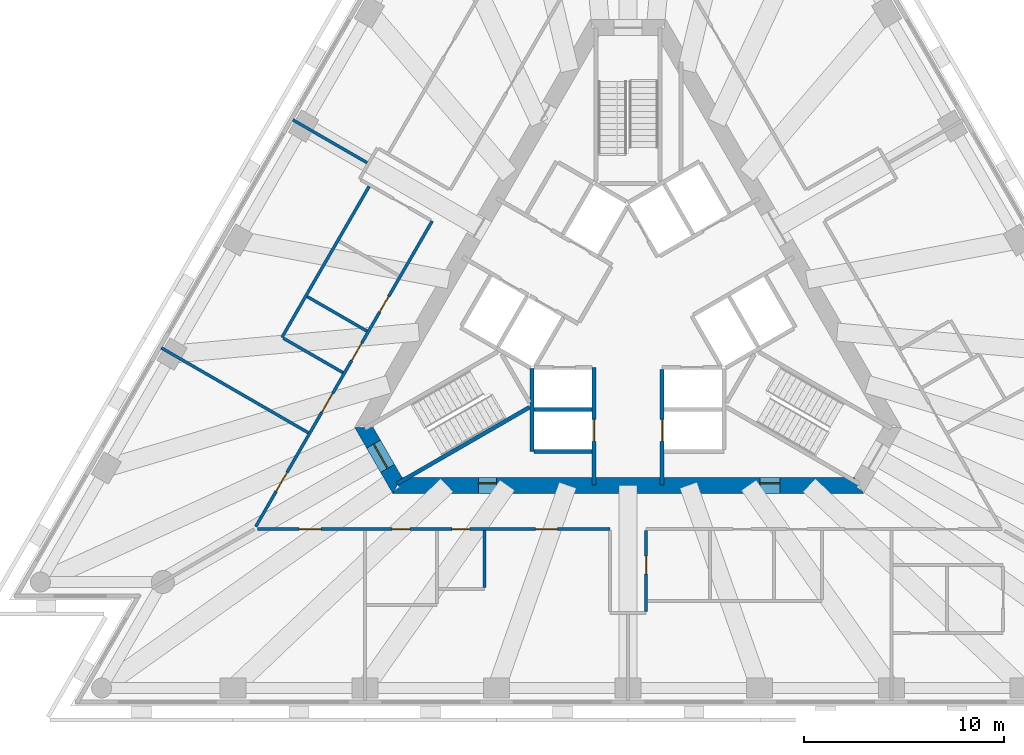
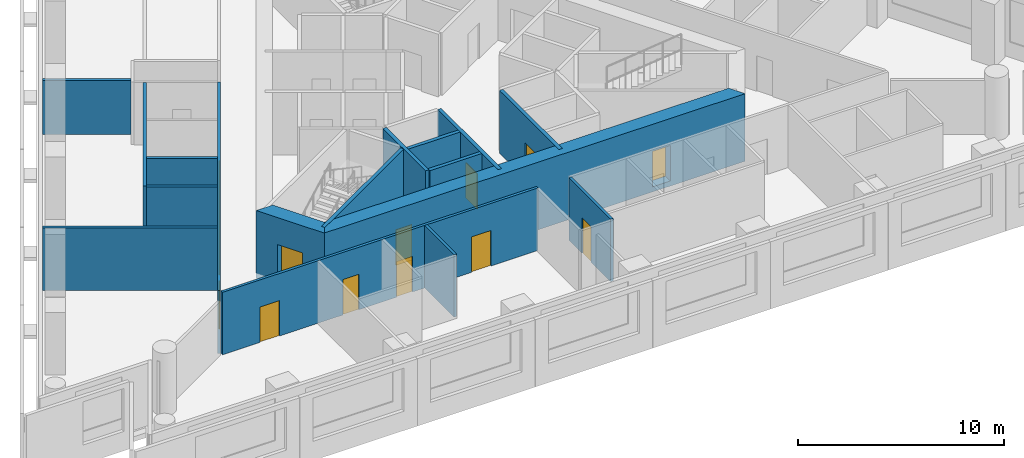
# One storey, part 3 of 10: 17 walls, 14 doors, 14 openings.
"""IFC4 building model written with IfcOpenShell, lengths in metres."""

from ifc_helpers import new_model, si_unit, direction, frame, frame_2d, origin, place, context, subcontext, project, spatial, polyline, rectangle, outline, extrude, material, layer, layer_set, type_object, element, fill, save


model = new_model("IFC4")

# Units and contexts
model_context = context("Model", 3, precision=1e-05, world=origin(), true_north=direction((0.0, 1.0)))
body_context = subcontext(model_context, "Body", "Model", "MODEL_VIEW")
ifc_project = project(units=[si_unit("LENGTHUNIT", "METRE"), si_unit("AREAUNIT", "SQUARE_METRE"), si_unit("VOLUMEUNIT", "CUBIC_METRE"), si_unit("PLANEANGLEUNIT", "RADIAN"), si_unit("MASSUNIT", "GRAM", prefix="KILO")], contexts=[model_context])

# Site, building, storey
site_placement = place(None, origin())
site = spatial("IfcSite", under=ifc_project, at=site_placement, CompositionType="ELEMENT")
building_placement = place(site_placement, origin())
building = spatial("IfcBuilding", under=site, at=building_placement, Name="Triada Interchange Tower", CompositionType="ELEMENT")
storey_placement = place(building_placement, frame((0.0, 0.0, 160.300048828125)))
storey = spatial("IfcBuildingStorey", under=building, at=storey_placement, Name="L37", CompositionType="ELEMENT", Elevation=160.300048828125)

# Walls
ifc_material_1 = material(Name="Concrete C30/37", Category="concrete")
ifc_layer_1 = layer(ifc_material_1, 0.199951171875)
ifc_layer_set_1 = layer_set([ifc_layer_1], Name="CORE WALL 200 EI 120")
wall_type_1 = type_object("IfcWallType", Name="CORE WALL 200 EI 120", PredefinedType="SOLIDWALL", material=ifc_layer_set_1)
wall_1_placement = place(storey_placement, frame((-4.800048828125, -6.89990234375, 0.0), z_axis=(0.0, 0.0, 1.0), x_axis=(0.0, 1.0, 0.0)))
element("IfcWall", 1, at=wall_1_placement, inside=storey, type_object=wall_type_1, Name="Wall L35 53", PredefinedType="SOLIDWALL", context=body_context, shape_type="SweptSolid", body=[
    extrude(rectangle(XDim=4.130859375, YDim=0.199951171875, at=frame_2d((2.0654296875, 0.0))), origin(), (0.0, 0.0, 1.0), 3.699951171875),
])
for number, where, z_axis, x_axis, name in (
    (2, (-4.699951171875, -6.89990234375, 0.0), (0.0, 0.0, 1.0), (1.0, 0.0, 0.0), "Wall L35 54"),
    (3, (-4.699951171875, -4.800048828125, 0.0), (0.0, 0.0, 1.0), (1.0, 0.0, 0.0), "Wall L35 56"),
):
    element("IfcWall", number, at=place(storey_placement, frame(where, z_axis=z_axis, x_axis=x_axis)), inside=storey, type_object=wall_type_1, Name=name, PredefinedType="SOLIDWALL", context=body_context, shape_type="SweptSolid", body=[
        extrude(rectangle(XDim=2.89990234375, YDim=0.199951171875, at=frame_2d((1.449951171875, 0.0))), origin(), (0.0, 0.0, 1.0), 3.699951171875),
    ])

# Wall, opening, door
wall_2_placement = place(storey_placement, frame((-1.699951171875, -8.580078125, 0.0), z_axis=(0.0, 0.0, 1.0), x_axis=(0.0, 1.0, 0.0)))
wall_2 = element("IfcWall", 4, at=wall_2_placement, inside=storey, type_object=wall_type_1, Name="Wall L35 58", PredefinedType="SOLIDWALL", context=body_context, shape_type="SweptSolid", body=[
    extrude(rectangle(XDim=5.877197265625, YDim=0.199951171875, at=frame_2d((2.9384765625, 0.0))), origin(), (0.0, 0.0, 1.0), 3.699951171875),
])
opening_1_placement = place(wall_2_placement, frame((2.179931640625, 0.0, 0.0)))
opening_1 = element("IfcOpeningElement", 5, at=opening_1_placement, cuts=wall_2, Name="Opening LD-LR4", PredefinedType="OPENING", context=body_context, shape_type="SweptSolid", body=[
    extrude(rectangle(XDim=1.10009765625, YDim=2.10009765625, at=frame_2d((0.550048828125, 1.050048828125))), frame((0.0, 0.10986328125, 0.0), z_axis=(0.0, -1.0, 0.0), x_axis=(1.0, 0.0, 0.0)), (0.0, 0.0, 1.0), 0.219970703125),
])
ifc_material_2 = material(Name="Steel S235 door leaf", Category="steel")
door_type_1 = type_object("IfcDoorType", Name="LIFT LANDING DOOR 1100 EI 120", OperationType="SLIDING_TO_LEFT", PredefinedType="DOOR", material=ifc_material_2)
door_1_placement = place(opening_1_placement, origin())
door_1 = element("IfcDoor", 6, at=door_1_placement, inside=storey, type_object=door_type_1, Name="LR4 landing door L37", OperationType="SLIDING_TO_LEFT", OverallHeight=2.10009765625, OverallWidth=1.10009765625, PredefinedType="DOOR", context=body_context, shape_type="SweptSolid", body=[
    extrude(rectangle(XDim=1.10009765625, YDim=2.10009765625, at=frame_2d((0.550048828125, 1.050048828125))), frame((0.0, 0.02490234375, 0.0), z_axis=(0.0, -1.0, 0.0), x_axis=(1.0, 0.0, 0.0)), (0.0, 0.0, 1.0), 0.050048828125),
])
fill(opening_1, door_1)

wall_3_placement = place(storey_placement, frame((1.699951171875, -8.580078125, 0.0), z_axis=(0.0, 0.0, 1.0), x_axis=(0.0, 1.0, 0.0)))
wall_3 = element("IfcWall", 7, at=wall_3_placement, inside=storey, type_object=wall_type_1, Name="Wall L35 65", PredefinedType="SOLIDWALL", context=body_context, shape_type="SweptSolid", body=[
    extrude(rectangle(XDim=5.777099609375, YDim=0.199951171875, at=frame_2d((2.888671875, 0.0))), origin(), (0.0, 0.0, 1.0), 3.699951171875),
])
opening_2_placement = place(wall_3_placement, frame((2.179931640625, 0.0, 0.0)))
opening_2 = element("IfcOpeningElement", 8, at=opening_2_placement, cuts=wall_3, Name="Opening LD-LR2", PredefinedType="OPENING", context=body_context, shape_type="SweptSolid", body=[
    extrude(rectangle(XDim=1.10009765625, YDim=2.10009765625, at=frame_2d((0.550048828125, 1.050048828125))), frame((0.0, 0.10986328125, 0.0), z_axis=(0.0, -1.0, 0.0), x_axis=(1.0, 0.0, 0.0)), (0.0, 0.0, 1.0), 0.219970703125),
])
door_2_placement = place(opening_2_placement, origin())
door_2 = element("IfcDoor", 9, at=door_2_placement, inside=storey, type_object=door_type_1, Name="LR2 landing door L37", OperationType="SLIDING_TO_LEFT", OverallHeight=2.10009765625, OverallWidth=1.10009765625, PredefinedType="DOOR", context=body_context, shape_type="SweptSolid", body=[
    extrude(rectangle(XDim=1.10009765625, YDim=2.10009765625, at=frame_2d((0.550048828125, 1.050048828125))), frame((0.0, 0.02490234375, 0.0), z_axis=(0.0, -1.0, 0.0), x_axis=(1.0, 0.0, 0.0)), (0.0, 0.0, 1.0), 0.050048828125),
])
fill(opening_2, door_2)

# Wall
ifc_layer_2 = layer(ifc_material_1, 0.199951171875)
ifc_layer_set_2 = layer_set([ifc_layer_2], Name="CORE WALL 200 REI 240")
wall_type_2 = type_object("IfcWallType", Name="CORE WALL 200 REI 240", PredefinedType="SOLIDWALL", material=ifc_layer_set_2)
wall_4_placement = place(storey_placement, frame((-11.56689453125, -8.52587890625, 0.0), z_axis=(0.0, 0.0, 1.0), x_axis=(0.866005769735, 0.50003400563, 0.0)))
element("IfcWall", 10, at=wall_4_placement, inside=storey, type_object=wall_type_2, Name="Wall L35 91", PredefinedType="SOLIDWALL", context=body_context, shape_type="SweptSolid", body=[
    extrude(rectangle(XDim=7.6650390625, YDim=0.199951171875, at=frame_2d((3.83251953125, 0.0))), origin(), (0.0, 0.0, 1.0), 3.699951171875),
])

# Wall, opening, door
ifc_material_3 = material(Name="Concrete C60/75", Category="concrete")
ifc_layer_3 = layer(ifc_material_3, 0.800048828125)
ifc_layer_set_3 = layer_set([ifc_layer_3], Name="Core wall B 800")
wall_type_3 = type_object("IfcWallType", Name="Core wall B 800", PredefinedType="SHEAR", material=ifc_layer_set_3)
wall_5_placement = place(storey_placement, frame((-13.220947265625, -5.699951171875, -0.300048828125), z_axis=(0.0, 0.0, 1.0), x_axis=(0.49987182685, -0.866099391942, 0.0)))
wall_5 = element("IfcWall", 11, at=wall_5_placement, inside=storey, type_object=wall_type_3, Name="Core wall WB03 L37", PredefinedType="SHEAR", context=body_context, shape_type="SweptSolid", body=[
    extrude(outline(polyline([(-0.23095703125, -0.39990234375), (1.674072265625, -0.39990234375), (3.5791015625, -0.39990234375), (3.117919921875, 0.39990234375), (1.67431640625, 0.39990234375), (0.23095703125, 0.39990234375), (-0.23095703125, -0.39990234375)])), origin(), (0.0, 0.0, 1.0), 4.0),
])
opening_3_placement = place(wall_5_placement, frame((0.97412109375, 0.0, 0.300048828125)))
opening_3 = element("IfcOpeningElement", 12, at=opening_3_placement, cuts=wall_5, Name="Opening D35-38", PredefinedType="OPENING", context=body_context, shape_type="SweptSolid", body=[
    extrude(rectangle(XDim=1.39990234375, YDim=2.10009765625, at=frame_2d((0.699951171875, 1.050048828125))), frame((0.0, 0.409912109375, 0.0), z_axis=(0.0, -1.0, 0.0), x_axis=(1.0, 0.0, 0.0)), (0.0, 0.0, 1.0), 0.820068359375),
])
door_type_2 = type_object("IfcDoorType", Name="STAIR DOOR 1400 EI2 90-C5S200", OperationType="DOUBLE_DOOR_SINGLE_SWING", PredefinedType="DOOR", material=ifc_material_2)
door_3_placement = place(opening_3_placement, origin())
door_3 = element("IfcDoor", 13, at=door_3_placement, inside=storey, type_object=door_type_2, Name="Door D35-38 L37", OperationType="DOUBLE_DOOR_SINGLE_SWING", OverallHeight=2.10009765625, OverallWidth=1.39990234375, PredefinedType="DOOR", context=body_context, shape_type="SweptSolid", body=[
    extrude(rectangle(XDim=1.39990234375, YDim=2.10009765625, at=frame_2d((0.699951171875, 1.050048828125))), frame((0.0, 0.02490234375, 0.0), z_axis=(0.0, -1.0, 0.0), x_axis=(1.0, 0.0, 0.0)), (0.0, 0.0, 1.0), 0.050048828125),
])
fill(opening_3, door_3)

# Wall, openings, doors
wall_6_placement = place(storey_placement, frame((-11.547119140625, -8.60009765625, -0.300048828125), z_axis=(0.0, 0.0, 1.0), x_axis=(1.0, 0.0, 0.0)))
wall_6 = element("IfcWall", 14, at=wall_6_placement, inside=storey, type_object=wall_type_3, Name="Core wall WB04 L37", PredefinedType="SHEAR", context=body_context, shape_type="SweptSolid", body=[
    extrude(outline(polyline([(-0.23095703125, -0.39990234375), (1.73193359375, -0.39990234375), (3.695068359375, -0.39990234375), (5.657958984375, -0.39990234375), (7.62109375, -0.39990234375), (9.583984375, -0.39990234375), (11.546875, -0.39990234375), (13.510009765625, -0.39990234375), (15.472900390625, -0.39990234375), (17.43603515625, -0.39990234375), (19.39892578125, -0.39990234375), (21.362060546875, -0.39990234375), (23.324951171875, -0.39990234375), (22.863037109375, 0.39990234375), (20.97705078125, 0.39990234375), (19.091064453125, 0.39990234375), (17.205078125, 0.39990234375), (15.319091796875, 0.39990234375), (13.43310546875, 0.39990234375), (11.546875, 0.39990234375), (9.660888671875, 0.39990234375), (7.77490234375, 0.39990234375), (5.888916015625, 0.39990234375), (4.0029296875, 0.39990234375), (2.116943359375, 0.39990234375), (0.23095703125, 0.39990234375), (-0.23095703125, -0.39990234375)])), origin(), (0.0, 0.0, 1.0), 4.0),
])
opening_4_placement = place(wall_6_placement, frame((4.06103515625, 0.0, 0.300048828125)))
opening_4 = element("IfcOpeningElement", 15, at=opening_4_placement, cuts=wall_6, Name="Opening D35-41", PredefinedType="OPENING", context=body_context, shape_type="SweptSolid", body=[
    extrude(rectangle(XDim=0.89990234375, YDim=2.10009765625, at=frame_2d((0.449951171875, 1.050048828125))), frame((0.0, 0.409912109375, 0.0), z_axis=(0.0, -1.0, 0.0), x_axis=(1.0, 0.0, 0.0)), (0.0, 0.0, 1.0), 0.820068359375),
])
opening_5_placement = place(wall_6_placement, frame((18.14306640625, 0.0, 0.300048828125)))
opening_5 = element("IfcOpeningElement", 16, at=opening_5_placement, cuts=wall_6, Name="Opening D35-43", PredefinedType="OPENING", context=body_context, shape_type="SweptSolid", body=[
    extrude(rectangle(XDim=1.0, YDim=2.10009765625, at=frame_2d((0.5, 1.050048828125))), frame((0.0, 0.409912109375, 0.0), z_axis=(0.0, -1.0, 0.0), x_axis=(1.0, 0.0, 0.0)), (0.0, 0.0, 1.0), 0.820068359375),
])
door_type_3 = type_object("IfcDoorType", Name="SERVICE DOOR 1000 EI2 45-C5S200", OperationType="NOTDEFINED", PredefinedType="DOOR", material=ifc_material_2)
door_4_placement = place(opening_5_placement, origin())
door_4 = element("IfcDoor", 17, at=door_4_placement, inside=storey, type_object=door_type_3, Name="Door D35-43 L37", OperationType="SINGLE_SWING_LEFT", OverallHeight=2.10009765625, OverallWidth=1.0, PredefinedType="DOOR", context=body_context, shape_type="SweptSolid", body=[
    extrude(rectangle(XDim=1.0, YDim=2.10009765625, at=frame_2d((0.5, 1.050048828125))), frame((0.0, 0.125, 0.0), z_axis=(0.0, -1.0, 0.0), x_axis=(1.0, 0.0, 0.0)), (0.0, 0.0, 1.0), 0.050048828125),
])
fill(opening_5, door_4)
door_type_4 = type_object("IfcDoorType", Name="SERVICE DOOR 900 EI2 45-C5S200", OperationType="NOTDEFINED", PredefinedType="DOOR", material=ifc_material_2)
door_5_placement = place(opening_4_placement, origin())
door_5 = element("IfcDoor", 18, at=door_5_placement, inside=storey, type_object=door_type_4, Name="Door D35-41 L37", OperationType="SINGLE_SWING_LEFT", OverallHeight=2.10009765625, OverallWidth=0.89990234375, PredefinedType="DOOR", context=body_context, shape_type="SweptSolid", body=[
    extrude(rectangle(XDim=0.89990234375, YDim=2.10009765625, at=frame_2d((0.449951171875, 1.050048828125))), frame((0.0, 0.125, 0.0), z_axis=(0.0, -1.0, 0.0), x_axis=(1.0, 0.0, 0.0)), (0.0, 0.0, 1.0), 0.050048828125),
])
fill(opening_4, door_5)

# Wall
ifc_material_4 = material(Name="Gypsum board partition")
ifc_layer_4 = layer(ifc_material_4, 0.14990234375)
ifc_layer_set_4 = layer_set([ifc_layer_4], Name="PARTITION 150 EI 180")
wall_type_4 = type_object("IfcWallType", Name="PARTITION 150 EI 180", PredefinedType="PARTITIONING", material=ifc_layer_set_4)
wall_7_placement = place(storey_placement, frame((-23.35693359375, -1.72509765625, 0.0), z_axis=(0.0, 0.0, 1.0), x_axis=(0.866045766046, -0.49996472987, 0.0)))
element("IfcWall", 19, at=wall_7_placement, inside=storey, type_object=wall_type_4, Name="Wall L35 3", PredefinedType="PARTITIONING", context=body_context, shape_type="SweptSolid", body=[
    extrude(rectangle(XDim=8.490234375, YDim=0.14990234375, at=frame_2d((4.2451171875, 0.0))), origin(), (0.0, 0.0, 1.0), 3.699951171875),
])

# Wall, openings, doors
wall_8_placement = place(storey_placement, frame((-18.555908203125, -10.800048828125, 0.0), z_axis=(0.0, 0.0, 1.0), x_axis=(1.0, 0.0, 0.0)))
wall_8 = element("IfcWall", 20, at=wall_8_placement, inside=storey, type_object=wall_type_4, Name="Wall L35 4", PredefinedType="PARTITIONING", context=body_context, shape_type="SweptSolid", body=[
    extrude(rectangle(XDim=17.655029296875, YDim=0.14990234375, at=frame_2d((8.82763671875, 0.0))), origin(), (0.0, 0.0, 1.0), 3.699951171875),
])
opening_6_placement = place(wall_8_placement, frame((2.10009765625, 0.0, 0.0)))
opening_6 = element("IfcOpeningElement", 21, at=opening_6_placement, cuts=wall_8, Name="Opening D35-11", PredefinedType="OPENING", context=body_context, shape_type="SweptSolid", body=[
    extrude(rectangle(XDim=1.10009765625, YDim=2.10009765625, at=frame_2d((0.550048828125, 1.050048828125))), frame((0.0, 0.0849609375, 0.0), z_axis=(0.0, -1.0, 0.0), x_axis=(1.0, 0.0, 0.0)), (0.0, 0.0, 1.0), 0.169921875),
])
opening_7_placement = place(wall_8_placement, frame((13.93408203125, 0.0, 0.0)))
opening_7 = element("IfcOpeningElement", 22, at=opening_7_placement, cuts=wall_8, Name="Opening D35-12", PredefinedType="OPENING", context=body_context, shape_type="SweptSolid", body=[
    extrude(rectangle(XDim=1.10009765625, YDim=2.10009765625, at=frame_2d((0.550048828125, 1.050048828125))), frame((0.0, 0.0849609375, 0.0), z_axis=(0.0, -1.0, 0.0), x_axis=(1.0, 0.0, 0.0)), (0.0, 0.0, 1.0), 0.169921875),
])
opening_8_placement = place(wall_8_placement, frame((6.73388671875, 0.0, 0.0)))
opening_8 = element("IfcOpeningElement", 23, at=opening_8_placement, cuts=wall_8, Name="Opening D35-13", PredefinedType="OPENING", context=body_context, shape_type="SweptSolid", body=[
    extrude(rectangle(XDim=0.89990234375, YDim=2.10009765625, at=frame_2d((0.449951171875, 1.050048828125))), frame((0.0, 0.0849609375, 0.0), z_axis=(0.0, -1.0, 0.0), x_axis=(1.0, 0.0, 0.0)), (0.0, 0.0, 1.0), 0.169921875),
])
opening_9_placement = place(wall_8_placement, frame((9.73388671875, 0.0, 0.0)))
opening_9 = element("IfcOpeningElement", 24, at=opening_9_placement, cuts=wall_8, Name="Opening D35-14", PredefinedType="OPENING", context=body_context, shape_type="SweptSolid", body=[
    extrude(rectangle(XDim=0.89990234375, YDim=2.10009765625, at=frame_2d((0.449951171875, 1.050048828125))), frame((0.0, 0.0849609375, 0.0), z_axis=(0.0, -1.0, 0.0), x_axis=(1.0, 0.0, 0.0)), (0.0, 0.0, 1.0), 0.169921875),
])
door_type_5 = type_object("IfcDoorType", Name="ROOM DOOR 900 EI2 90-C5S200", OperationType="NOTDEFINED", PredefinedType="DOOR", material=ifc_material_2)
door_6_placement = place(opening_8_placement, origin())
door_6 = element("IfcDoor", 25, at=door_6_placement, inside=storey, type_object=door_type_5, Name="Door D35-13 L37", OperationType="SINGLE_SWING_RIGHT", OverallHeight=2.10009765625, OverallWidth=0.89990234375, PredefinedType="DOOR", context=body_context, shape_type="SweptSolid", body=[
    extrude(rectangle(XDim=0.89990234375, YDim=2.10009765625, at=frame_2d((0.449951171875, 1.050048828125))), frame((0.0, 0.02490234375, 0.0), z_axis=(0.0, -1.0, 0.0), x_axis=(1.0, 0.0, 0.0)), (0.0, 0.0, 1.0), 0.050048828125),
])
fill(opening_8, door_6)
door_7_placement = place(opening_9_placement, origin())
door_7 = element("IfcDoor", 26, at=door_7_placement, inside=storey, type_object=door_type_5, Name="Door D35-14 L37", OperationType="SINGLE_SWING_RIGHT", OverallHeight=2.10009765625, OverallWidth=0.89990234375, PredefinedType="DOOR", context=body_context, shape_type="SweptSolid", body=[
    extrude(rectangle(XDim=0.89990234375, YDim=2.10009765625, at=frame_2d((0.449951171875, 1.050048828125))), frame((0.0, 0.02490234375, 0.0), z_axis=(0.0, -1.0, 0.0), x_axis=(1.0, 0.0, 0.0)), (0.0, 0.0, 1.0), 0.050048828125),
])
fill(opening_9, door_7)
door_type_6 = type_object("IfcDoorType", Name="TENANCY ENTRANCE DOOR 1100 EI2 90-C5S200", OperationType="NOTDEFINED", PredefinedType="DOOR", material=ifc_material_2)
door_8_placement = place(opening_6_placement, origin())
door_8 = element("IfcDoor", 27, at=door_8_placement, inside=storey, type_object=door_type_6, Name="Door D35-11 L37", OperationType="SINGLE_SWING_RIGHT", OverallHeight=2.10009765625, OverallWidth=1.10009765625, PredefinedType="DOOR", context=body_context, shape_type="SweptSolid", body=[
    extrude(rectangle(XDim=1.10009765625, YDim=2.10009765625, at=frame_2d((0.550048828125, 1.050048828125))), frame((0.0, 0.02490234375, 0.0), z_axis=(0.0, -1.0, 0.0), x_axis=(1.0, 0.0, 0.0)), (0.0, 0.0, 1.0), 0.050048828125),
])
fill(opening_6, door_8)
door_9_placement = place(opening_7_placement, origin())
door_9 = element("IfcDoor", 28, at=door_9_placement, inside=storey, type_object=door_type_6, Name="Door D35-12 L37", OperationType="SINGLE_SWING_LEFT", OverallHeight=2.10009765625, OverallWidth=1.10009765625, PredefinedType="DOOR", context=body_context, shape_type="SweptSolid", body=[
    extrude(rectangle(XDim=1.10009765625, YDim=2.10009765625, at=frame_2d((0.550048828125, 1.050048828125))), frame((0.0, 0.02490234375, 0.0), z_axis=(0.0, -1.0, 0.0), x_axis=(1.0, 0.0, 0.0)), (0.0, 0.0, 1.0), 0.050048828125),
])
fill(opening_7, door_9)

wall_9_placement = place(storey_placement, frame((-18.631103515625, -10.669921875, 0.0), z_axis=(0.0, 0.0, 1.0), x_axis=(0.500017706633, 0.866015180614, 0.0)))
wall_9 = element("IfcWall", 29, at=wall_9_placement, inside=storey, type_object=wall_type_4, Name="Wall L35 6", PredefinedType="PARTITIONING", context=body_context, shape_type="SweptSolid", body=[
    extrude(rectangle(XDim=17.655517578125, YDim=0.14990234375, at=frame_2d((8.82763671875, 0.0))), origin(), (0.0, 0.0, 1.0), 3.699951171875),
])
opening_10_placement = place(wall_9_placement, frame((6.60595703125, 0.0, 0.0)))
opening_10 = element("IfcOpeningElement", 30, at=opening_10_placement, cuts=wall_9, Name="Opening D35-31", PredefinedType="OPENING", context=body_context, shape_type="SweptSolid", body=[
    extrude(rectangle(XDim=1.10009765625, YDim=2.10009765625, at=frame_2d((0.550048828125, 1.050048828125))), frame((0.0, 0.0849609375, 0.0), z_axis=(0.0, -1.0, 0.0), x_axis=(1.0, 0.0, 0.0)), (0.0, 0.0, 1.0), 0.169921875),
])
opening_11_placement = place(wall_9_placement, frame((12.406005859375, 0.0, 0.0)))
opening_11 = element("IfcOpeningElement", 31, at=opening_11_placement, cuts=wall_9, Name="Opening D35-33", PredefinedType="OPENING", context=body_context, shape_type="SweptSolid", body=[
    extrude(rectangle(XDim=0.89990234375, YDim=2.10009765625, at=frame_2d((0.449951171875, 1.050048828125))), frame((0.0, 0.0849609375, 0.0), z_axis=(0.0, -1.0, 0.0), x_axis=(1.0, 0.0, 0.0)), (0.0, 0.0, 1.0), 0.169921875),
])
opening_12_placement = place(wall_9_placement, frame((9.60595703125, 0.0, 0.0)))
opening_12 = element("IfcOpeningElement", 32, at=opening_12_placement, cuts=wall_9, Name="Opening D35-34", PredefinedType="OPENING", context=body_context, shape_type="SweptSolid", body=[
    extrude(rectangle(XDim=1.0, YDim=2.10009765625, at=frame_2d((0.5, 1.050048828125))), frame((0.0, 0.0849609375, 0.0), z_axis=(0.0, -1.0, 0.0), x_axis=(1.0, 0.0, 0.0)), (0.0, 0.0, 1.0), 0.169921875),
])
opening_13_placement = place(wall_9_placement, frame((2.033935546875, 0.0, 0.0)))
opening_13 = element("IfcOpeningElement", 33, at=opening_13_placement, cuts=wall_9, Name="Opening D35-35", PredefinedType="OPENING", context=body_context, shape_type="SweptSolid", body=[
    extrude(rectangle(XDim=1.10009765625, YDim=2.10009765625, at=frame_2d((0.550048828125, 1.050048828125))), frame((0.0, 0.0849609375, 0.0), z_axis=(0.0, -1.0, 0.0), x_axis=(1.0, 0.0, 0.0)), (0.0, 0.0, 1.0), 0.169921875),
])
door_type_7 = type_object("IfcDoorType", Name="ROOM DOOR 1000 EI2 90-C5S200", OperationType="NOTDEFINED", PredefinedType="DOOR", material=ifc_material_2)
door_10_placement = place(opening_12_placement, origin())
door_10 = element("IfcDoor", 34, at=door_10_placement, inside=storey, type_object=door_type_7, Name="Door D35-34 L37", OperationType="SINGLE_SWING_LEFT", OverallHeight=2.10009765625, OverallWidth=1.0, PredefinedType="DOOR", context=body_context, shape_type="SweptSolid", body=[
    extrude(rectangle(XDim=1.0, YDim=2.10009765625, at=frame_2d((0.5, 1.050048828125))), frame((0.0, 0.02490234375, 0.0), z_axis=(0.0, -1.0, 0.0), x_axis=(1.0, 0.0, 0.0)), (0.0, 0.0, 1.0), 0.050048828125),
])
fill(opening_12, door_10)
door_11_placement = place(opening_11_placement, origin())
door_11 = element("IfcDoor", 35, at=door_11_placement, inside=storey, type_object=door_type_5, Name="Door D35-33 L37", OperationType="SINGLE_SWING_RIGHT", OverallHeight=2.10009765625, OverallWidth=0.89990234375, PredefinedType="DOOR", context=body_context, shape_type="SweptSolid", body=[
    extrude(rectangle(XDim=0.89990234375, YDim=2.10009765625, at=frame_2d((0.449951171875, 1.050048828125))), frame((0.0, 0.02490234375, 0.0), z_axis=(0.0, -1.0, 0.0), x_axis=(1.0, 0.0, 0.0)), (0.0, 0.0, 1.0), 0.050048828125),
])
fill(opening_11, door_11)
door_12_placement = place(opening_10_placement, origin())
door_12 = element("IfcDoor", 36, at=door_12_placement, inside=storey, type_object=door_type_6, Name="Door D35-31 L37", OperationType="SINGLE_SWING_LEFT", OverallHeight=2.10009765625, OverallWidth=1.10009765625, PredefinedType="DOOR", context=body_context, shape_type="SweptSolid", body=[
    extrude(rectangle(XDim=1.10009765625, YDim=2.10009765625, at=frame_2d((0.550048828125, 1.050048828125))), frame((0.0, 0.02490234375, 0.0), z_axis=(0.0, -1.0, 0.0), x_axis=(1.0, 0.0, 0.0)), (0.0, 0.0, 1.0), 0.050048828125),
])
fill(opening_10, door_12)
door_13_placement = place(opening_13_placement, origin())
door_13 = element("IfcDoor", 37, at=door_13_placement, inside=storey, type_object=door_type_6, Name="Door D35-35 L37", OperationType="SINGLE_SWING_LEFT", OverallHeight=2.10009765625, OverallWidth=1.10009765625, PredefinedType="DOOR", context=body_context, shape_type="SweptSolid", body=[
    extrude(rectangle(XDim=1.10009765625, YDim=2.10009765625, at=frame_2d((0.550048828125, 1.050048828125))), frame((0.0, 0.02490234375, 0.0), z_axis=(0.0, -1.0, 0.0), x_axis=(1.0, 0.0, 0.0)), (0.0, 0.0, 1.0), 0.050048828125),
])
fill(opening_13, door_13)

# Walls
wall_10_placement = place(storey_placement, frame((-16.77099609375, 9.68310546875, 0.0), z_axis=(0.0, 0.0, 1.0), x_axis=(0.866070942811, -0.499921115796, 0.0)))
element("IfcWall", 38, at=wall_10_placement, inside=storey, type_object=wall_type_4, Name="Wall L35 8", PredefinedType="PARTITIONING", context=body_context, shape_type="SweptSolid", body=[
    extrude(rectangle(XDim=4.290771484375, YDim=0.14990234375, at=frame_2d((2.1455078125, 0.0))), origin(), (0.0, 0.0, 1.0), 3.199951171875),
])
wall_11_placement = place(storey_placement, frame((-17.321044921875, -1.199951171875, 0.0), z_axis=(0.0, 0.0, 1.0), x_axis=(0.500054279689, 0.865994063124, 0.0)))
element("IfcWall", 39, at=wall_11_placement, inside=storey, type_object=wall_type_4, Name="Wall L35 10", PredefinedType="PARTITIONING", context=body_context, shape_type="SweptSolid", body=[
    extrude(rectangle(XDim=8.72509765625, YDim=0.14990234375, at=frame_2d((4.362548828125, 0.0))), origin(), (0.0, 0.0, 1.0), 3.699951171875),
])
wall_12_placement = place(storey_placement, frame((-17.256103515625, -1.238037109375, 0.0), z_axis=(0.0, 0.0, 1.0), x_axis=(0.866061862632, -0.499936846106, 0.0)))
element("IfcWall", 40, at=wall_12_placement, inside=storey, type_object=wall_type_4, Name="Wall L35 11", PredefinedType="PARTITIONING", context=body_context, shape_type="SweptSolid", body=[
    extrude(rectangle(XDim=3.4501953125, YDim=0.14990234375, at=frame_2d((1.72509765625, 0.0))), origin(), (0.0, 0.0, 1.0), 3.699951171875),
])
wall_13_placement = place(storey_placement, frame((-16.055908203125, 0.841064453125, 0.0), z_axis=(0.0, 0.0, 1.0), x_axis=(0.866013532718, -0.500020560727, 0.0)))
element("IfcWall", 41, at=wall_13_placement, inside=storey, type_object=wall_type_4, Name="Wall L35 12", PredefinedType="PARTITIONING", context=body_context, shape_type="SweptSolid", body=[
    extrude(rectangle(XDim=3.449951171875, YDim=0.14990234375, at=frame_2d((1.72509765625, 0.0))), origin(), (0.0, 0.0, 1.0), 3.699951171875),
])
wall_14_placement = place(storey_placement, frame((-7.172119140625, -13.72509765625, 0.0), z_axis=(0.0, 0.0, 1.0), x_axis=(0.0, 1.0, 0.0)))
element("IfcWall", 42, at=wall_14_placement, inside=storey, type_object=wall_type_4, Name="Wall L35 22", PredefinedType="PARTITIONING", context=body_context, shape_type="SweptSolid", body=[
    extrude(rectangle(XDim=2.85009765625, YDim=0.14990234375, at=frame_2d((1.425048828125, 0.0))), origin(), (0.0, 0.0, 1.0), 3.699951171875),
])

# Wall, opening, door
wall_15_placement = place(storey_placement, frame((0.89990234375, -14.925048828125, 0.0), z_axis=(0.0, 0.0, 1.0), x_axis=(0.0, 1.0, 0.0)))
wall_15 = element("IfcWall", 43, at=wall_15_placement, inside=storey, type_object=wall_type_4, Name="Wall L35 27", PredefinedType="PARTITIONING", context=body_context, shape_type="SweptSolid", body=[
    extrude(rectangle(XDim=4.049072265625, YDim=0.14990234375, at=frame_2d((2.0244140625, 0.0))), origin(), (0.0, 0.0, 1.0), 3.699951171875),
])
opening_14_placement = place(wall_15_placement, frame((1.875, 0.0, 0.0)))
opening_14 = element("IfcOpeningElement", 44, at=opening_14_placement, cuts=wall_15, Name="Opening D35-16", PredefinedType="OPENING", context=body_context, shape_type="SweptSolid", body=[
    extrude(rectangle(XDim=0.89990234375, YDim=2.10009765625, at=frame_2d((0.449951171875, 1.050048828125))), frame((0.0, 0.0849609375, 0.0), z_axis=(0.0, -1.0, 0.0), x_axis=(1.0, 0.0, 0.0)), (0.0, 0.0, 1.0), 0.169921875),
])
door_14_placement = place(opening_14_placement, origin())
door_14 = element("IfcDoor", 45, at=door_14_placement, inside=storey, type_object=door_type_5, Name="Door D35-16 L37", OperationType="SINGLE_SWING_LEFT", OverallHeight=2.10009765625, OverallWidth=0.89990234375, PredefinedType="DOOR", context=body_context, shape_type="SweptSolid", body=[
    extrude(rectangle(XDim=0.89990234375, YDim=2.10009765625, at=frame_2d((0.449951171875, 1.050048828125))), frame((0.0, 0.02490234375, 0.0), z_axis=(0.0, -1.0, 0.0), x_axis=(1.0, 0.0, 0.0)), (0.0, 0.0, 1.0), 0.050048828125),
])
fill(opening_14, door_14)

save(model, "model.ifc")
